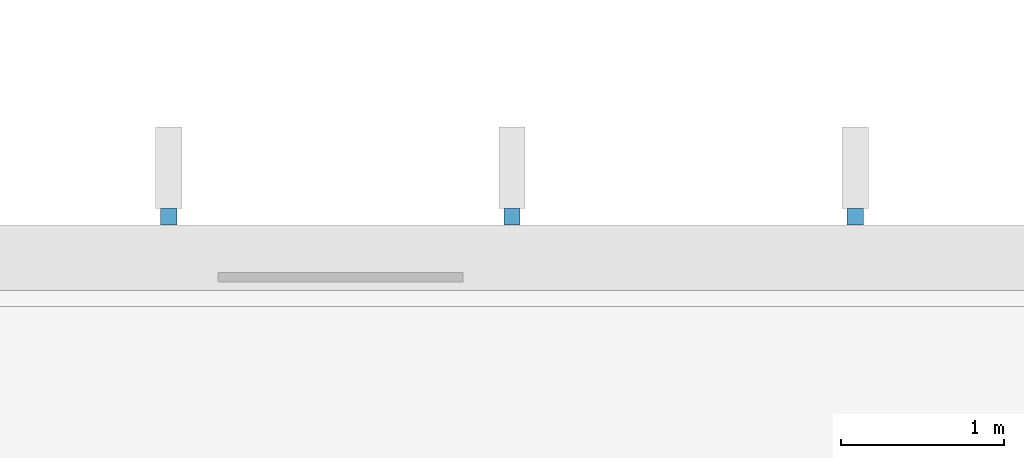
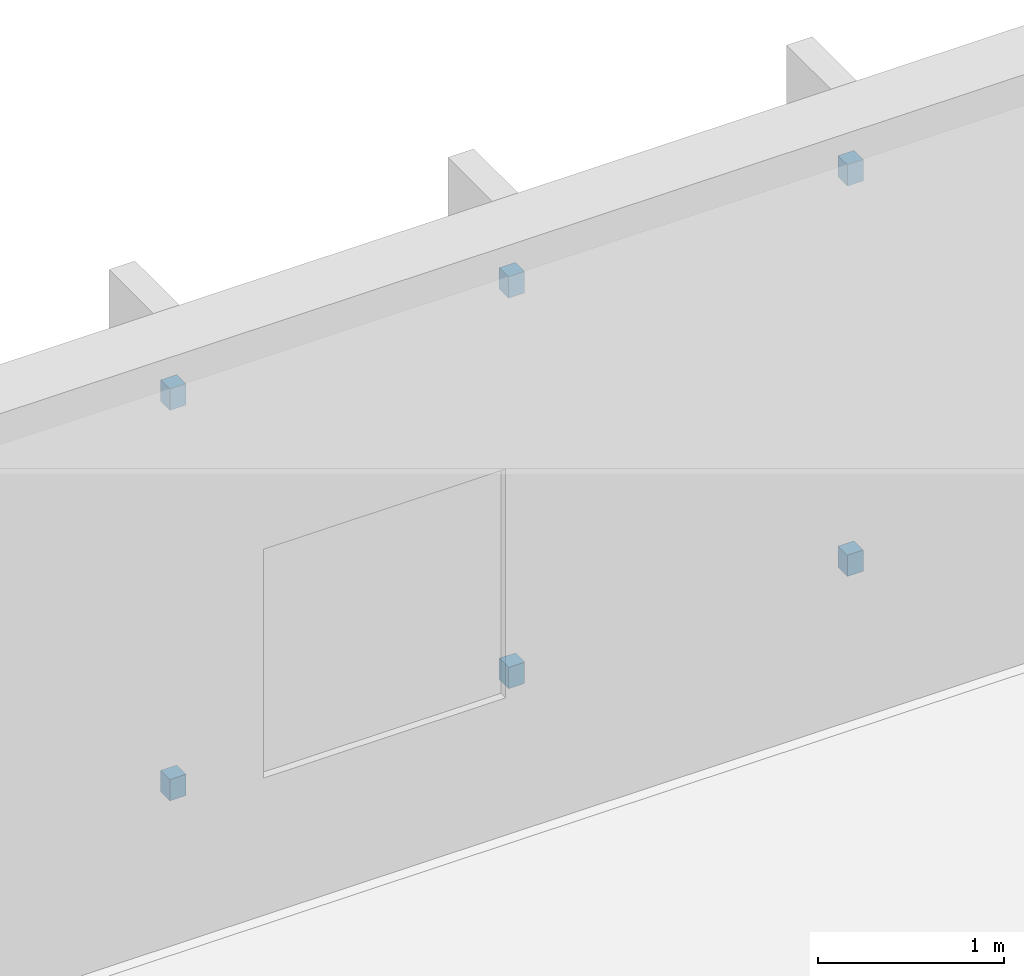
# One storey, part 53 of 79: 6 discrete accessories.
"""IFC4 building model written with IfcOpenShell, lengths in metres."""

from ifc_helpers import new_model, si_unit, direction, frame, origin, origin_2d, place, context, subcontext, project, spatial, rectangle, extrude, material, layer, layer_set, type_object, element, save


model = new_model("IFC4")

# Units and contexts
model_context = context("Model", 3, precision=1e-05, world=origin(), true_north=direction((0.0, 1.0)))
body_context = subcontext(model_context, "Body", "Model", "MODEL_VIEW")
ifc_project = project(units=[si_unit("LENGTHUNIT", "METRE"), si_unit("AREAUNIT", "SQUARE_METRE"), si_unit("VOLUMEUNIT", "CUBIC_METRE"), si_unit("PLANEANGLEUNIT", "RADIAN"), si_unit("MASSUNIT", "GRAM", prefix="KILO")], contexts=[model_context])

# Site, building, storey
site_placement = place(None, origin())
site = spatial("IfcSite", under=ifc_project, at=site_placement, CompositionType="ELEMENT")
building_placement = place(site_placement, origin())
building = spatial("IfcBuilding", under=site, at=building_placement, Name="Larchfold Concert Hall", CompositionType="ELEMENT")
storey_placement = place(building_placement, frame((0.0, 0.0, 14.39990234375)))
storey = spatial("IfcBuildingStorey", under=building, at=storey_placement, Name="L03", CompositionType="ELEMENT", Elevation=14.39990234375)

# Discrete accessories
ifc_material = material(Name="Steel S355 galvanised bracket", Category="steel")
ifc_layer = layer(ifc_material, 0.10009765625)
ifc_layer_set = layer_set([ifc_layer], Name="Steel S355 galvanised bracket")
discrete_accessory_type = type_object("IfcDiscreteAccessoryType", Name="Fin support bracket", PredefinedType="BRACKET", material=ifc_layer_set)
for number, where, z_axis, x_axis, name in (
    (1, (36.300048828125, 26.050048828125, 0.6298828125), (0.0, 0.0, 1.0), (0.0, 1.0, 0.0), "Fin bracket FN-L03-001-1"),
    (2, (36.300048828125, 26.050048828125, 3.18994140625), (0.0, 0.0, 1.0), (0.0, 1.0, 0.0), "Fin bracket FN-L03-001-2"),
    (3, (38.39990234375, 26.050048828125, 0.6298828125), (0.0, 0.0, 1.0), (0.0, 1.0, 0.0), "Fin bracket FN-L03-002-1"),
    (4, (38.39990234375, 26.050048828125, 3.18994140625), (0.0, 0.0, 1.0), (0.0, 1.0, 0.0), "Fin bracket FN-L03-002-2"),
    (5, (40.5, 26.050048828125, 0.6298828125), (0.0, 0.0, 1.0), (0.0, 1.0, 0.0), "Fin bracket FN-L03-003-1"),
    (6, (40.5, 26.050048828125, 3.18994140625), (0.0, 0.0, 1.0), (0.0, 1.0, 0.0), "Fin bracket FN-L03-003-2"),
):
    element("IfcDiscreteAccessory", number, at=place(storey_placement, frame(where, z_axis=z_axis, x_axis=x_axis)), inside=storey, type_object=discrete_accessory_type, Name=name, PredefinedType="BRACKET", context=body_context, shape_type="SweptSolid", body=[
        extrude(rectangle(XDim=0.10009765625, YDim=0.10009765625, at=origin_2d()), origin(), (0.0, 0.0, 1.0), 0.139892578125),
    ])

save(model, "model.ifc")
